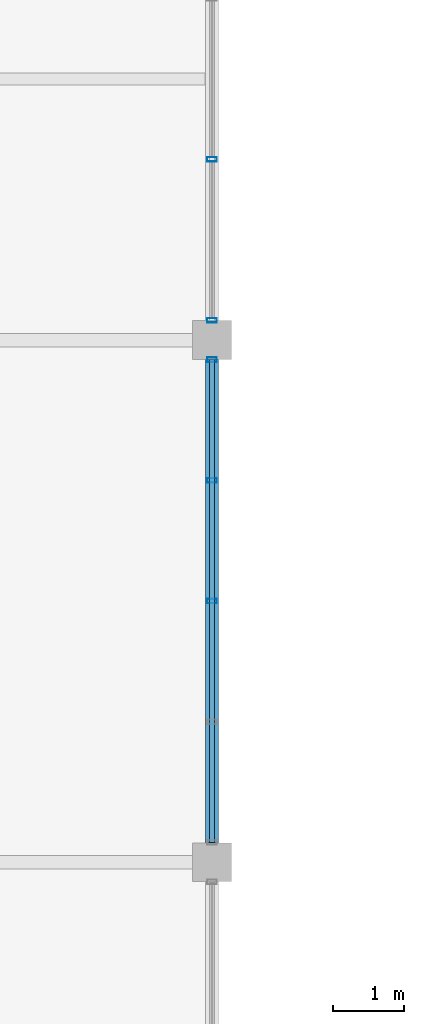
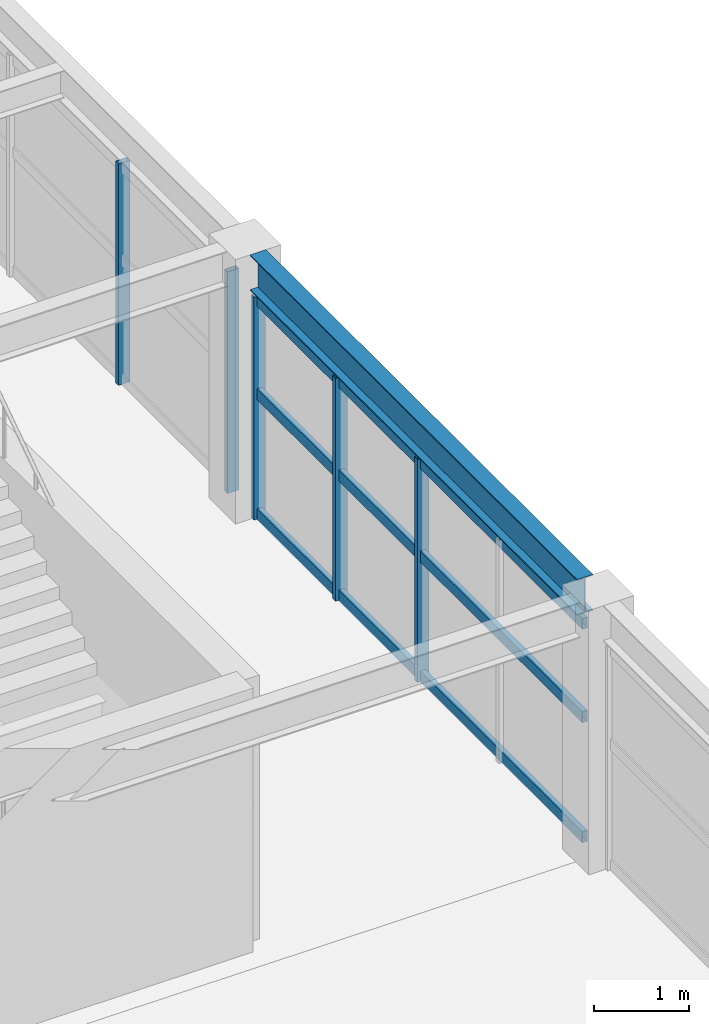
# One storey, part 23 of 93: 8 members, 1 beam, 2 elements without a shape of their own.
"""IFC4 building model written with IfcOpenShell, lengths in metres."""

import ifcopenshell
import ifcopenshell.guid

model = None  # the IFC model being written
_history = None  # IfcOwnerHistory: only IFC2X3 demands one
_inside = {}  # id of a spatial element -> (the spatial element, [elements in it])
_under = {}  # id of a project, library or spatial element -> (it, [spatial elements below it])
_declared = {}  # id of a project -> (the project, [libraries it declares])
_typed = {}  # id of a type object -> (the type object, [elements of that type])
_made_of = {}  # id of a material, layer set ... -> (it, [elements and type objects made of it])


def new_model(schema):
    """Start an empty IFC model of exactly this schema.

    Asked for "IFC4X3", IfcOpenShell would pick the latest addendum, in which some entities
    have other attributes; the version numbers below select the first issue.
    IFC2X3 requires an IfcOwnerHistory on every rooted entity: one is made here for all.
    """
    global model, _history
    if schema == "IFC4X3":
        model = ifcopenshell.file(schema_version=(4, 3, 0, 0))
    else:
        model = ifcopenshell.file(schema=schema)
    _inside.clear()
    _under.clear()
    _declared.clear()
    _typed.clear()
    _made_of.clear()
    _history = None
    if model.schema == "IFC2X3":
        org = make("IfcOrganization", Name="unknown")
        user = make(
            "IfcPersonAndOrganization",
            ThePerson=make("IfcPerson", FamilyName="unknown"),
            TheOrganization=org,
        )
        app = make(
            "IfcApplication",
            ApplicationDeveloper=org,
            Version="unknown",
            ApplicationFullName="unknown",
            ApplicationIdentifier="unknown",
        )
        _history = make(
            "IfcOwnerHistory",
            OwningUser=user,
            OwningApplication=app,
            ChangeAction="ADDED",
            CreationDate=0,
        )
    return model


def make(cls, **values):
    """One entity of the class cls with the attributes given. An attribute that is None is left unset."""
    return model.create_entity(
        cls, **{name: value for name, value in values.items() if value is not None}
    )


def rooted(cls, **values):
    """An entity with a GlobalId (a new one), such as an element, a storey or a relation."""
    return make(cls, GlobalId=ifcopenshell.guid.new(), OwnerHistory=_history, **values)


def si_unit(unit_type, name, prefix=None):
    """IfcSIUnit, for example si_unit("LENGTHUNIT", "METRE", prefix="MILLI")."""
    return make("IfcSIUnit", UnitType=unit_type, Prefix=prefix, Name=name)


def assignment(units):
    """IfcUnitAssignment: the units of a project."""
    return None if units is None else make("IfcUnitAssignment", Units=units)


def point(xyz):
    """IfcCartesianPoint."""
    return None if xyz is None else make("IfcCartesianPoint", Coordinates=xyz)


def direction(xyz):
    """IfcDirection."""
    return None if xyz is None else make("IfcDirection", DirectionRatios=xyz)


def frame(location, z_axis=None, x_axis=None):
    """IfcAxis2Placement3D, a coordinate frame: its origin and axes. An axis left out is left unset."""
    return make(
        "IfcAxis2Placement3D",
        Location=point(location),
        Axis=direction(z_axis),
        RefDirection=direction(x_axis),
    )


def frame_2d(location, x_axis=None):
    """IfcAxis2Placement2D, a coordinate frame in the plane: its origin and x axis."""
    return make(
        "IfcAxis2Placement2D", Location=point(location), RefDirection=direction(x_axis)
    )


def origin():
    """The frame at (0, 0, 0) with its axes left unset."""
    return frame((0.0, 0.0, 0.0))


def origin_2d():
    """The frame at (0, 0) in the plane with its x axis left unset."""
    return frame_2d((0.0, 0.0))


def place(relative_to, where):
    """IfcLocalPlacement: puts the frame where relative to a parent placement (None: the world)."""
    return make(
        "IfcLocalPlacement", PlacementRelTo=relative_to, RelativePlacement=where
    )


def context(
    kind, dimensions, precision=None, world=None, true_north=None, identifier=None
):
    """IfcGeometricRepresentationContext, for example the 3D "Model" context."""
    return make(
        "IfcGeometricRepresentationContext",
        ContextIdentifier=identifier,
        ContextType=kind,
        CoordinateSpaceDimension=dimensions,
        Precision=precision,
        WorldCoordinateSystem=world,
        TrueNorth=true_north,
    )


def subcontext(parent, identifier, kind, view, scale=None):
    """IfcGeometricRepresentationSubContext, for example "Body" below "Model"."""
    return make(
        "IfcGeometricRepresentationSubContext",
        ContextIdentifier=identifier,
        ContextType=kind,
        ParentContext=parent,
        TargetScale=scale,
        TargetView=view,
    )


def project(units=None, contexts=None):
    """IfcProject with its units and contexts."""
    return rooted(
        "IfcProject",
        Name="project",
        RepresentationContexts=contexts,
        UnitsInContext=assignment(units),
    )


def spatial(cls, under=None, at=None, **own):
    """A site, building, storey or space (cls), placed at a placement, below another one or the project."""
    s = rooted(cls, ObjectPlacement=at, **own)
    if under is not None:
        _under.setdefault(under.id(), (under, []))[1].append(s)
    return s


def profile(cls, at=None, kind="AREA", **sizes):
    """A parametric profile (cls). Its sizes go by their IFC names, for example OverallWidth=200.0."""
    return make(cls, ProfileType=kind, Position=at, **sizes)


def hollow_rectangle(**sizes):
    """IfcRectangleHollowProfileDef."""
    return profile("IfcRectangleHollowProfileDef", **sizes)


def i_section(**sizes):
    """IfcIShapeProfileDef."""
    return profile("IfcIShapeProfileDef", **sizes)


def extrude(swept, where, along, depth):
    """IfcExtrudedAreaSolid: the profile swept, set in the frame where, extruded along a direction by depth."""
    return make(
        "IfcExtrudedAreaSolid",
        SweptArea=swept,
        Position=where,
        ExtrudedDirection=direction(along),
        Depth=depth,
    )


def shape(context_of_items, identifier, shape_type, items):
    """IfcShapeRepresentation: the items that make up one representation, for example the "Body"."""
    return make(
        "IfcShapeRepresentation",
        ContextOfItems=context_of_items,
        RepresentationIdentifier=identifier,
        RepresentationType=shape_type,
        Items=items,
    )


def material(Name=None, Category=None):
    """IfcMaterial."""
    return make("IfcMaterial", Name=Name, Category=Category)


def material_profile(
    of_material, cross_section, Name=None, Category=None, Priority=None
):
    """IfcMaterialProfile: a cross section and its material."""
    return make(
        "IfcMaterialProfile",
        Name=Name,
        Material=of_material,
        Profile=cross_section,
        Priority=Priority,
        Category=Category,
    )


def profile_set(profiles, Name=None, composite=None):
    """IfcMaterialProfileSet."""
    return make(
        "IfcMaterialProfileSet",
        Name=Name,
        MaterialProfiles=profiles,
        CompositeProfile=composite,
    )


def made_of(thing, what):
    """Note that an element or type object is made of a material, layer set ...; save() writes the relation."""
    if what is not None:
        _made_of.setdefault(what.id(), (what, []))[1].append(thing)
    return thing


def type_object(cls, material=None, **own):
    """A type object (cls), such as IfcWallType, which elements share."""
    return made_of(rooted(cls, **own), material)


def element(
    cls,
    number,
    at=None,
    inside=None,
    cuts=None,
    type_object=None,
    material=None,
    context=None,
    identifier="Body",
    shape_type=None,
    held_by="IfcProductDefinitionShape",
    body=None,
    shapes=None,
    **own,
):
    """One element of the class cls, such as IfcWall. Its Tag is "e" and its number.

    at: its placement. inside: the storey or other place that contains it. cuts: it is an
    opening in that element (IfcRelVoidsElement). A single representation is given by context,
    identifier, shape_type and body (its items); several are given by shapes. held_by: the class
    of the entity that holds the representations. save() writes the other relations.
    """
    e = rooted(cls, Tag="e%d" % number, ObjectPlacement=at, **own)
    if body is not None:
        shapes = [shape(context, identifier, shape_type, body)]
    if shapes is not None:
        e.Representation = make(held_by, Representations=shapes)
    if inside is not None:
        _inside.setdefault(inside.id(), (inside, []))[1].append(e)
    if cuts is not None:
        rooted(
            "IfcRelVoidsElement", RelatingBuildingElement=cuts, RelatedOpeningElement=e
        )
    if type_object is not None:
        _typed.setdefault(type_object.id(), (type_object, []))[1].append(e)
    return made_of(e, material)


def aggregate(whole, parts):
    """IfcRelAggregates: a whole, such as a stair, and the parts it consists of."""
    return rooted("IfcRelAggregates", RelatingObject=whole, RelatedObjects=parts)


def save(model, path):
    """Write the relations noted so far, then the file.

    IfcRelAggregates (storeys below a building ...), IfcRelContainedInSpatialStructure (elements
    in a storey), IfcRelDefinesByType, IfcRelAssociatesMaterial and IfcRelDeclares: one each for
    every whole, place, type object, material and project.
    """
    for whole, parts in _under.values():
        aggregate(whole, parts)
    for where, things in _inside.values():
        rooted(
            "IfcRelContainedInSpatialStructure",
            RelatedElements=things,
            RelatingStructure=where,
        )
    for kind, things in _typed.values():
        rooted("IfcRelDefinesByType", RelatedObjects=things, RelatingType=kind)
    for what, things in _made_of.values():
        rooted("IfcRelAssociatesMaterial", RelatedObjects=things, RelatingMaterial=what)
    for by, libraries in _declared.values():
        rooted("IfcRelDeclares", RelatingContext=by, RelatedDefinitions=libraries)
    model.write(path)


model = new_model("IFC4")

# Units and contexts
model_context = context("Model", 3, precision=1e-05, world=origin(), true_north=direction((0.0, 1.0)))
body_context = subcontext(model_context, "Body", "Model", "MODEL_VIEW")
ifc_project = project(units=[si_unit("LENGTHUNIT", "METRE"), si_unit("AREAUNIT", "SQUARE_METRE"), si_unit("VOLUMEUNIT", "CUBIC_METRE"), si_unit("PLANEANGLEUNIT", "RADIAN"), si_unit("MASSUNIT", "GRAM", prefix="KILO")], contexts=[model_context])

# Site, building, storey
site_placement = place(None, origin())
site = spatial("IfcSite", under=ifc_project, at=site_placement, CompositionType="ELEMENT")
building_placement = place(site_placement, origin())
building = spatial("IfcBuilding", under=site, at=building_placement, Name="Cimatlan Art Gallery", CompositionType="ELEMENT")
storey_placement = place(building_placement, frame((0.0, 0.0, 13.800048828125)))
storey = spatial("IfcBuildingStorey", under=building, at=storey_placement, Name="L03", CompositionType="ELEMENT", Elevation=13.800048828125)

# Beam
ifc_material_1 = material(Name="Steel ASTM A992 Grade 50", Category="steel")
ifc_material_profile_1 = material_profile(ifc_material_1, i_section(OverallWidth=0.19091796875, OverallDepth=0.45703125, WebThickness=0.009033203125, FlangeThickness=0.014404296875, at=origin_2d()), Name="W18X50")
ifc_profile_set_1 = profile_set([ifc_material_profile_1], Name="Steel ASTM A992 Grade 50")
beam_type = type_object("IfcBeamType", Name="BM-STL-W18X50", PredefinedType="BEAM", material=ifc_profile_set_1)
beam_placement = place(storey_placement, frame((50.60009765625, 53.77490234375, 3.1513671875), z_axis=(0.0, 1.0, 0.0), x_axis=(-1.0, 0.0, 0.0)))
element("IfcBeam", 1, at=beam_placement, inside=storey, type_object=beam_type, Name="BM-Y-L03-06-07", PredefinedType="BEAM", context=body_context, shape_type="SweptSolid", body=[
    extrude(i_section(OverallWidth=0.19091796875, OverallDepth=0.45703125, WebThickness=0.009033203125, FlangeThickness=0.014404296875, at=origin_2d()), origin(), (0.0, 0.0, 1.0), 6.85009765625),
])

# Curtain wall, members
ifc_material_2 = material(Name="Anodised bronze unitised curtain wall")
curtain_wall_type_1 = type_object("IfcCurtainWallType", Name="CW-V-06842X02848-B4", PredefinedType="NOTDEFINED", material=ifc_material_2)
curtain_wall_1_placement = place(storey_placement, origin())
curtain_wall_1 = element("IfcCurtainWall", 2, at=curtain_wall_1_placement, inside=storey, type_object=curtain_wall_type_1, Name="CW-L03-05-07-E", PredefinedType="NOTDEFINED")
ifc_material_3 = material(Name="Anodised bronze aluminium 6063-T6", Category="aluminium")
ifc_material_profile_2 = material_profile(ifc_material_3, hollow_rectangle(XDim=0.06494140625, YDim=0.139892578125, WallThickness=0.00390625, at=origin_2d()), Name="ALU65X140X4")
ifc_profile_set_2 = profile_set([ifc_material_profile_2], Name="Anodised bronze aluminium 6063-T6")
member_type_1 = type_object("IfcMemberType", Name="CW-MUL-140", PredefinedType="MULLION", material=ifc_profile_set_2)
member_1_placement = place(storey_placement, frame((50.60009765625, 60.62109375, 0.0), z_axis=(0.0, 0.0, 1.0), x_axis=(0.0, 1.0, 0.0)))
member_1 = element("IfcMember", 3, at=member_1_placement, type_object=member_type_1, Name="CW-L03-05-07-E-M1", PredefinedType="MULLION", context=body_context, shape_type="SweptSolid", body=[
    extrude(hollow_rectangle(XDim=0.06494140625, YDim=0.139892578125, WallThickness=0.00390625, at=origin_2d()), origin(), (0.0, 0.0, 1.0), 2.847900390625),
])
member_2_placement = place(storey_placement, frame((50.60009765625, 58.910400390625, 0.0), z_axis=(0.0, 0.0, 1.0), x_axis=(0.0, 1.0, 0.0)))
member_2 = element("IfcMember", 4, at=member_2_placement, type_object=member_type_1, Name="CW-L03-05-07-E-M2", PredefinedType="MULLION", context=body_context, shape_type="SweptSolid", body=[
    extrude(hollow_rectangle(XDim=0.06494140625, YDim=0.139892578125, WallThickness=0.00390625, at=origin_2d()), origin(), (0.0, 0.0, 1.0), 2.847900390625),
])
member_3_placement = place(storey_placement, frame((50.60009765625, 57.199951171875, 0.0), z_axis=(0.0, 0.0, 1.0), x_axis=(0.0, 1.0, 0.0)))
member_3 = element("IfcMember", 5, at=member_3_placement, type_object=member_type_1, Name="CW-L03-05-07-E-M3", PredefinedType="MULLION", context=body_context, shape_type="SweptSolid", body=[
    extrude(hollow_rectangle(XDim=0.06494140625, YDim=0.139892578125, WallThickness=0.00390625, at=origin_2d()), origin(), (0.0, 0.0, 1.0), 2.847900390625),
])

curtain_wall_type_2 = type_object("IfcCurtainWallType", Name="CW-V-06842X02833-B3", PredefinedType="NOTDEFINED", material=ifc_material_2)
curtain_wall_2_placement = place(storey_placement, origin())
curtain_wall_2 = element("IfcCurtainWall", 6, at=curtain_wall_2_placement, inside=storey, type_object=curtain_wall_type_2, Name="CW-L03-05-08-E", PredefinedType="NOTDEFINED")
member_4_placement = place(storey_placement, frame((50.60009765625, 63.459716796875, 0.0), z_axis=(0.0, 0.0, 1.0), x_axis=(0.0, 1.0, 0.0)))
member_4 = element("IfcMember", 7, at=member_4_placement, type_object=member_type_1, Name="CW-L03-05-08-E-M3", PredefinedType="MULLION", context=body_context, shape_type="SweptSolid", body=[
    extrude(hollow_rectangle(XDim=0.06494140625, YDim=0.139892578125, WallThickness=0.00390625, at=origin_2d()), origin(), (0.0, 0.0, 1.0), 2.8330078125),
])
member_5_placement = place(storey_placement, frame((50.60009765625, 61.178955078125, 0.0), z_axis=(0.0, 0.0, 1.0), x_axis=(0.0, 1.0, 0.0)))
member_5 = element("IfcMember", 8, at=member_5_placement, type_object=member_type_1, Name="CW-L03-05-08-E-M4", PredefinedType="MULLION", context=body_context, shape_type="SweptSolid", body=[
    extrude(hollow_rectangle(XDim=0.06494140625, YDim=0.139892578125, WallThickness=0.00390625, at=origin_2d()), origin(), (0.0, 0.0, 1.0), 2.8330078125),
])
aggregate(curtain_wall_2, [member_4, member_5])

# Member
ifc_material_profile_3 = material_profile(ifc_material_3, hollow_rectangle(XDim=0.06494140625, YDim=0.139892578125, WallThickness=0.00390625, at=origin_2d()), Name="ALU65X140X4")
ifc_profile_set_3 = profile_set([ifc_material_profile_3], Name="Anodised bronze aluminium 6063-T6")
member_type_2 = type_object("IfcMemberType", Name="CW-TRN-140", PredefinedType="USERDEFINED", material=ifc_profile_set_3)
member_6_placement = place(storey_placement, frame((50.60009765625, 60.62109375, 0.06005859375), z_axis=(0.0, -1.0, 0.0), x_axis=(1.0, 0.0, 0.0)))
member_6 = element("IfcMember", 9, at=member_6_placement, type_object=member_type_2, Name="CW-L03-05-07-E-T1", ObjectType="TRANSOM", PredefinedType="USERDEFINED", context=body_context, shape_type="SweptSolid", body=[
    extrude(hollow_rectangle(XDim=0.06494140625, YDim=0.139892578125, WallThickness=0.00390625, at=origin_2d()), origin(), (0.0, 0.0, 1.0), 6.842041015625),
])

member_7_placement = place(storey_placement, frame((50.60009765625, 60.62109375, 1.594970703125), z_axis=(0.0, -1.0, 0.0), x_axis=(1.0, 0.0, 0.0)))
member_7 = element("IfcMember", 10, at=member_7_placement, type_object=member_type_2, Name="CW-L03-05-07-E-T2", ObjectType="TRANSOM", PredefinedType="USERDEFINED", context=body_context, shape_type="SweptSolid", body=[
    extrude(hollow_rectangle(XDim=0.06494140625, YDim=0.139892578125, WallThickness=0.00390625, at=origin_2d()), origin(), (0.0, 0.0, 1.0), 6.842041015625),
])

member_8_placement = place(storey_placement, frame((50.60009765625, 60.62109375, 2.787841796875), z_axis=(0.0, -1.0, 0.0), x_axis=(1.0, 0.0, 0.0)))
member_8 = element("IfcMember", 11, at=member_8_placement, type_object=member_type_2, Name="CW-L03-05-07-E-T3", ObjectType="TRANSOM", PredefinedType="USERDEFINED", context=body_context, shape_type="SweptSolid", body=[
    extrude(hollow_rectangle(XDim=0.06494140625, YDim=0.139892578125, WallThickness=0.00390625, at=origin_2d()), origin(), (0.0, 0.0, 1.0), 6.842041015625),
])

aggregate(curtain_wall_1, [member_1, member_2, member_3, member_6, member_7, member_8])

save(model, "model.ifc")
